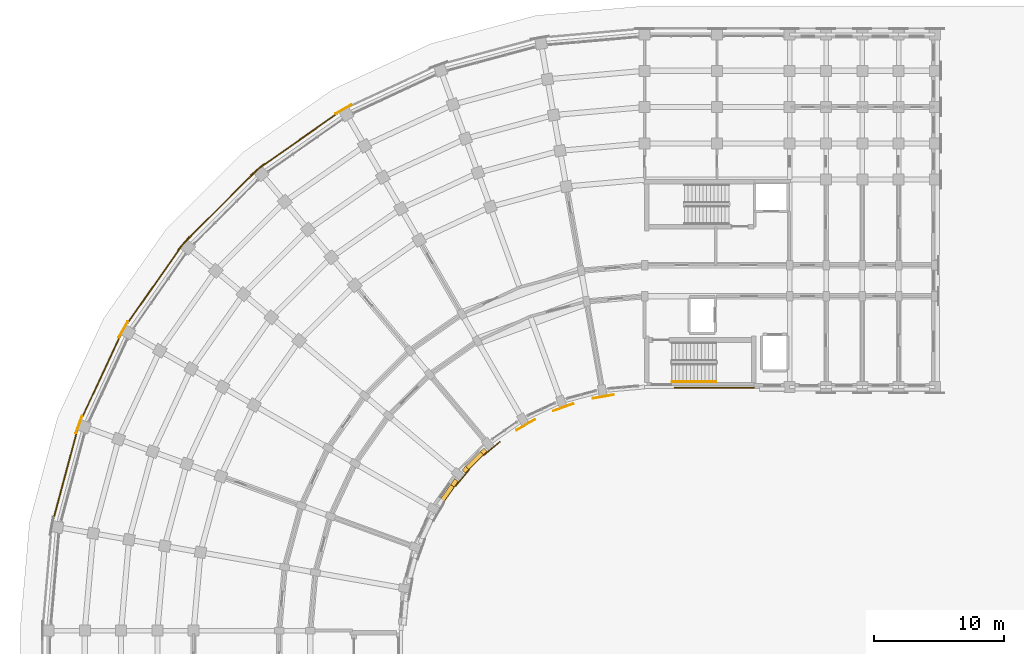
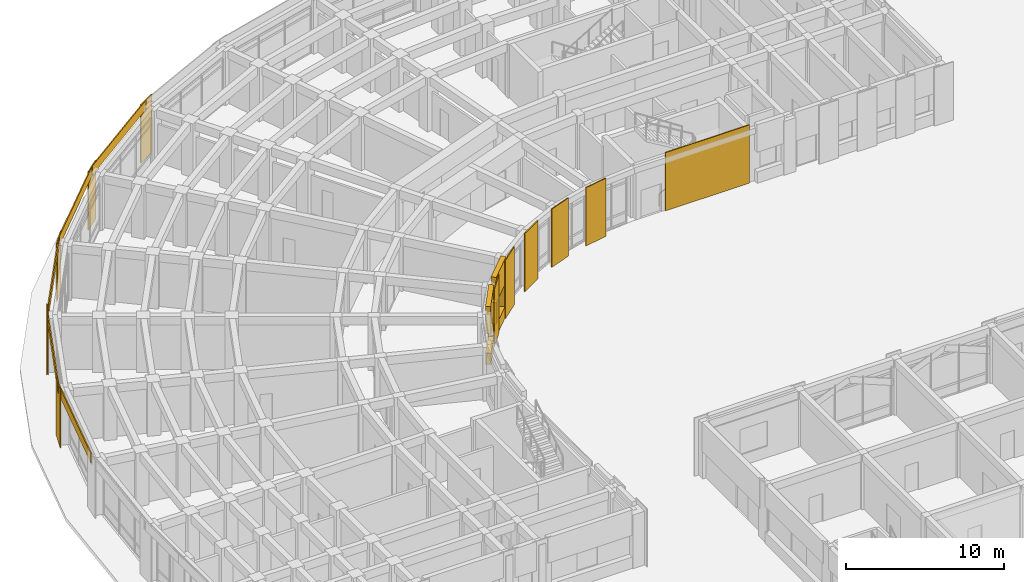
# One storey, part 126 of 135: 23 coverings, 1 railing.
"""IFC4 building model written with IfcOpenShell, lengths in metres."""

from ifc_helpers import new_model, si_unit, direction, frame, origin, origin_2d, place, context, subcontext, project, spatial, polyline, circle, outline, extrude, material, layer, layer_set, type_object, element, save


model = new_model("IFC4")

# Units and contexts
model_context = context("Model", 3, precision=1e-05, world=origin(), true_north=direction((0.0, 1.0)))
body_context = subcontext(model_context, "Body", "Model", "MODEL_VIEW")
ifc_project = project(units=[si_unit("LENGTHUNIT", "METRE"), si_unit("AREAUNIT", "SQUARE_METRE"), si_unit("VOLUMEUNIT", "CUBIC_METRE"), si_unit("PLANEANGLEUNIT", "RADIAN"), si_unit("MASSUNIT", "GRAM", prefix="KILO")], contexts=[model_context])

# Site, building, storey
site_placement = place(None, origin())
site = spatial("IfcSite", under=ifc_project, at=site_placement, CompositionType="ELEMENT")
building_placement = place(site_placement, origin())
building = spatial("IfcBuilding", under=site, at=building_placement, Name="Kiranvali Square Residences", CompositionType="ELEMENT")
storey_placement = place(building_placement, origin())
storey = spatial("IfcBuildingStorey", under=building, at=storey_placement, Name="L00", CompositionType="ELEMENT", Elevation=0.0)

# Coverings
ifc_material_1 = material(Name="Honed Porbandar limestone ashlar facade cladding", Category="masonry")
ifc_layer_1 = layer(ifc_material_1, 0.3798828125)
ifc_layer_set_1 = layer_set([ifc_layer_1], Name="Honed Porbandar limestone ashlar facade cladding")
covering_type_1 = type_object("IfcCoveringType", Name="COV-CLAD-JAMB", PredefinedType="CLADDING", material=ifc_layer_set_1)
covering_1_placement = place(storey_placement, frame((0.0, 0.0, 0.8798828125)))
element("IfcCovering", 1, at=covering_1_placement, inside=storey, type_object=covering_type_1, Name="L00 deep limestone window jamb reveal A-L00-GDN-04.L", PredefinedType="CLADDING", context=body_context, shape_type="SweptSolid", body=[
    extrude(outline(polyline([(35.804931640625, 101.89013671875), (35.52294921875, 101.6083984375), (35.76318359375, 101.368408203125), (36.044921875, 101.650146484375), (35.804931640625, 101.89013671875)])), origin(), (0.0, 0.0, 1.0), 1.650146484375),
])
covering_2_placement = place(storey_placement, frame((0.0, 0.0, 0.8798828125)))
element("IfcCovering", 2, at=covering_2_placement, inside=storey, type_object=covering_type_1, Name="L00 deep limestone window jamb reveal A-L00-GDN-04.R", PredefinedType="CLADDING", context=body_context, shape_type="SweptSolid", body=[
    extrude(outline(polyline([(34.3916015625, 100.47705078125), (34.10986328125, 100.195068359375), (34.349853515625, 99.955078125), (34.631591796875, 100.23681640625), (34.3916015625, 100.47705078125)])), origin(), (0.0, 0.0, 1.0), 1.650146484375),
])
covering_3_placement = place(storey_placement, frame((0.0, 0.0, 0.8798828125)))
element("IfcCovering", 3, at=covering_3_placement, inside=storey, type_object=covering_type_1, Name="L00 deep limestone window jamb reveal A-L00-GDN-05.L", PredefinedType="CLADDING", context=body_context, shape_type="SweptSolid", body=[
    extrude(outline(polyline([(33.54638671875, 99.523681640625), (33.231689453125, 99.074462890625), (33.509765625, 98.879638671875), (33.824462890625, 99.328857421875), (33.54638671875, 99.523681640625)])), origin(), (0.0, 0.0, 1.0), 1.5),
])
ifc_layer_2 = layer(ifc_material_1, 0.06494140625)
ifc_layer_set_2 = layer_set([ifc_layer_2], Name="Honed Porbandar limestone ashlar facade cladding")
covering_type_2 = type_object("IfcCoveringType", Name="COV-CLAD-PIER", PredefinedType="CLADDING", material=ifc_layer_set_2)
covering_4_placement = place(storey_placement, frame((0.0, 0.0, 0.0048828125)))
element("IfcCovering", 4, at=covering_4_placement, inside=storey, type_object=covering_type_2, Name="Block A L00 garden stair limestone ashlar cladding", PredefinedType="CLADDING", context=body_context, shape_type="SweptSolid", body=[
    extrude(outline(polyline([(50.5, 106.52001953125), (56.64990234375, 106.52001953125), (56.64990234375, 106.597900390625), (50.5, 106.597900390625), (50.5, 106.52001953125)])), origin(), (0.0, 0.0, 1.0), 4.490234375),
])
ifc_layer_3 = layer(ifc_material_1, 0.050048828125)
ifc_layer_set_3 = layer_set([ifc_layer_3], Name="Honed Porbandar limestone ashlar facade cladding")
covering_type_3 = type_object("IfcCoveringType", Name="COV-CLAD-PIER-IN", PredefinedType="CLADDING", material=ifc_layer_set_3)
covering_5_placement = place(storey_placement, frame((0.0, 0.0, 0.0048828125)))
element("IfcCovering", 5, at=covering_5_placement, inside=storey, type_object=covering_type_3, Name="L00 Classical garden courtyard pilaster CLAD-PRIN-A-L00-A01", PredefinedType="CLADDING", context=body_context, shape_type="SweptSolid", body=[
    extrude(outline(polyline([(44.20849609375, 105.685546875), (45.83349609375, 105.97216796875), (45.82177734375, 106.03857421875), (44.19677734375, 105.752197265625), (44.20849609375, 105.685546875)])), origin(), (0.0, 0.0, 1.0), 4.490234375),
])
covering_6_placement = place(storey_placement, frame((0.0, 0.0, 0.0048828125)))
element("IfcCovering", 6, at=covering_6_placement, inside=storey, type_object=covering_type_3, Name="L00 Classical garden courtyard pilaster CLAD-PRIN-A-L00-A02", PredefinedType="CLADDING", context=body_context, shape_type="SweptSolid", body=[
    extrude(outline(polyline([(41.163330078125, 104.720703125), (42.7138671875, 105.28515625), (42.69091796875, 105.3486328125), (41.140380859375, 104.7841796875), (41.163330078125, 104.720703125)])), origin(), (0.0, 0.0, 1.0), 4.490234375),
])
covering_7_placement = place(storey_placement, frame((0.0, 0.0, 0.0048828125)))
element("IfcCovering", 7, at=covering_7_placement, inside=storey, type_object=covering_type_3, Name="L00 Classical garden courtyard pilaster CLAD-PRIN-A-L00-A03", PredefinedType="CLADDING", context=body_context, shape_type="SweptSolid", body=[
    extrude(outline(polyline([(38.33203125, 103.241943359375), (39.760986328125, 104.06689453125), (39.727294921875, 104.125244140625), (38.29833984375, 103.30029296875), (38.33203125, 103.241943359375)])), origin(), (0.0, 0.0, 1.0), 4.490234375),
])
covering_8_placement = place(storey_placement, frame((0.0, 0.0, 0.0048828125)))
element("IfcCovering", 8, at=covering_8_placement, inside=storey, type_object=covering_type_3, Name="L00 Classical garden courtyard pilaster CLAD-PRIN-A-L00-A04", PredefinedType="CLADDING", context=body_context, shape_type="SweptSolid", body=[
    extrude(outline(polyline([(35.800537109375, 101.293701171875), (37.064453125, 102.354248046875), (37.02099609375, 102.406005859375), (35.757080078125, 101.345458984375), (35.800537109375, 101.293701171875)])), origin(), (0.0, 0.0, 1.0), 4.490234375),
])
covering_9_placement = place(storey_placement, frame((0.0, 0.0, 0.0048828125)))
element("IfcCovering", 9, at=covering_9_placement, inside=storey, type_object=covering_type_3, Name="L00 Classical garden courtyard pilaster CLAD-PRIN-A-L00-A05", PredefinedType="CLADDING", context=body_context, shape_type="SweptSolid", body=[
    extrude(outline(polyline([(33.645751953125, 98.935546875), (34.706298828125, 100.199462890625), (34.654541015625, 100.242919921875), (33.593994140625, 98.97900390625), (33.645751953125, 98.935546875)])), origin(), (0.0, 0.0, 1.0), 4.490234375),
])
ifc_material_2 = material(Name="Alternating Deccan basalt and Porbandar limestone rusticated plinth ashlar", Category="masonry")
ifc_layer_4 = layer(ifc_material_2, 0.0849609375)
ifc_layer_set_4 = layer_set([ifc_layer_4], Name="Alternating Deccan basalt and Porbandar limestone rusticated plinth ashlar")
covering_type_4 = type_object("IfcCoveringType", Name="COV-CLAD-PLINTH", PredefinedType="CLADDING", material=ifc_layer_set_4)
covering_10_placement = place(storey_placement, frame((0.0, 0.0, 0.0048828125)))
element("IfcCovering", 10, at=covering_10_placement, inside=storey, type_object=covering_type_4, Name="L00 rusticated Ottoman arcade pier CLAD-PR-A-L00-A03", PredefinedType="CLADDING", context=body_context, shape_type="SweptSolid", body=[
    extrude(outline(polyline([(25.56396484375, 128.41650390625), (24.343017578125, 127.711669921875), (24.376708984375, 127.653076171875), (25.597900390625, 128.358154296875), (25.56396484375, 128.41650390625)])), origin(), (0.0, 0.0, 1.0), 4.490234375),
])
covering_11_placement = place(storey_placement, frame((0.0, 0.0, 0.0048828125)))
element("IfcCovering", 11, at=covering_11_placement, inside=storey, type_object=covering_type_4, Name="L00 rusticated Ottoman arcade pier CLAD-PR-A-L00-A04", PredefinedType="CLADDING", context=body_context, shape_type="SweptSolid", body=[
    extrude(outline(polyline([(18.85498046875, 123.868896484375), (17.77490234375, 122.962646484375), (17.818115234375, 122.910888671875), (18.8984375, 123.817138671875), (18.85498046875, 123.868896484375)])), origin(), (0.0, 0.0, 1.0), 4.490234375),
])
covering_12_placement = place(storey_placement, frame((0.0, 0.0, 0.0048828125)))
element("IfcCovering", 12, at=covering_12_placement, inside=storey, type_object=covering_type_4, Name="L00 rusticated Ottoman arcade pier CLAD-PR-A-L00-A05", PredefinedType="CLADDING", context=body_context, shape_type="SweptSolid", body=[
    extrude(outline(polyline([(13.037353515625, 118.22509765625), (12.131103515625, 117.14501953125), (12.182861328125, 117.1015625), (13.089111328125, 118.181884765625), (13.037353515625, 118.22509765625)])), origin(), (0.0, 0.0, 1.0), 4.490234375),
])
covering_13_placement = place(storey_placement, frame((0.0, 0.0, 0.0048828125)))
element("IfcCovering", 13, at=covering_13_placement, inside=storey, type_object=covering_type_4, Name="L00 rusticated Ottoman arcade pier CLAD-PR-A-L00-A06", PredefinedType="CLADDING", context=body_context, shape_type="SweptSolid", body=[
    extrude(outline(polyline([(8.288330078125, 111.656982421875), (7.58349609375, 110.43603515625), (7.641845703125, 110.402099609375), (8.346923828125, 111.623291015625), (8.288330078125, 111.656982421875)])), origin(), (0.0, 0.0, 1.0), 4.490234375),
])
covering_14_placement = place(storey_placement, frame((0.0, 0.0, 0.0048828125)))
element("IfcCovering", 14, at=covering_14_placement, inside=storey, type_object=covering_type_4, Name="L00 rusticated Ottoman arcade pier CLAD-PR-A-L00-A07", PredefinedType="CLADDING", context=body_context, shape_type="SweptSolid", body=[
    extrude(outline(polyline([(4.751953125, 104.364013671875), (4.269775390625, 103.0390625), (4.333251953125, 103.015869140625), (4.8154296875, 104.3408203125), (4.751953125, 104.364013671875)])), origin(), (0.0, 0.0, 1.0), 4.490234375),
])
ifc_layer_5 = layer(ifc_material_1, 0.360107421875)
ifc_layer_set_5 = layer_set([ifc_layer_5], Name="Honed Porbandar limestone ashlar facade cladding")
covering_type_5 = type_object("IfcCoveringType", Name="COV-CLAD-WALL", PredefinedType="CLADDING", material=ifc_layer_set_5)
covering_15_placement = place(storey_placement, frame((0.0, 0.0, 3.780029296875)))
element("IfcCovering", 15, at=covering_15_placement, inside=storey, type_object=covering_type_5, Name="Block A L00 Classical Ottoman arcade entablature 4", PredefinedType="CLADDING", context=body_context, shape_type="SweptSolid", body=[
    extrude(outline(polyline([(24.910400390625, 128.05078125), (18.342041015625, 123.45166015625), (18.386962890625, 123.387939453125), (24.955078125, 127.987060546875), (24.910400390625, 128.05078125)])), origin(), (0.0, 0.0, 1.0), 0.715087890625),
])
covering_16_placement = place(storey_placement, frame((0.0, 0.0, 3.780029296875)))
element("IfcCovering", 16, at=covering_16_placement, inside=storey, type_object=covering_type_5, Name="Block A L00 Classical Ottoman arcade entablature 5", PredefinedType="CLADDING", context=body_context, shape_type="SweptSolid", body=[
    extrude(outline(polyline([(18.274658203125, 123.39501953125), (12.60498046875, 117.725341796875), (12.659912109375, 117.670166015625), (18.329833984375, 123.340087890625), (18.274658203125, 123.39501953125)])), origin(), (0.0, 0.0, 1.0), 0.715087890625),
])
covering_17_placement = place(storey_placement, frame((0.0, 0.0, 3.780029296875)))
element("IfcCovering", 17, at=covering_17_placement, inside=storey, type_object=covering_type_5, Name="Block A L00 Classical Ottoman arcade entablature 6", PredefinedType="CLADDING", context=body_context, shape_type="SweptSolid", body=[
    extrude(outline(polyline([(12.54833984375, 117.657958984375), (7.94921875, 111.089599609375), (8.012939453125, 111.044921875), (12.612060546875, 117.613037109375), (12.54833984375, 117.657958984375)])), origin(), (0.0, 0.0, 1.0), 0.715087890625),
])
covering_18_placement = place(storey_placement, frame((0.0, 0.0, 3.780029296875)))
element("IfcCovering", 18, at=covering_18_placement, inside=storey, type_object=covering_type_5, Name="Block A L00 Classical Ottoman arcade entablature 7", PredefinedType="CLADDING", context=body_context, shape_type="SweptSolid", body=[
    extrude(outline(polyline([(7.905029296875, 111.013427734375), (4.516357421875, 103.746337890625), (4.587158203125, 103.71337890625), (7.975830078125, 110.98046875), (7.905029296875, 111.013427734375)])), origin(), (0.0, 0.0, 1.0), 0.715087890625),
])
covering_19_placement = place(storey_placement, frame((0.0, 0.0, 3.780029296875)))
element("IfcCovering", 19, at=covering_19_placement, inside=storey, type_object=covering_type_5, Name="Block A L00 Classical Ottoman arcade entablature 8", PredefinedType="CLADDING", context=body_context, shape_type="SweptSolid", body=[
    extrude(outline(polyline([(4.486328125, 103.66357421875), (2.4111328125, 95.91845703125), (2.486328125, 95.8984375), (4.561767578125, 103.6435546875), (4.486328125, 103.66357421875)])), origin(), (0.0, 0.0, 1.0), 0.715087890625),
])
covering_20_placement = place(storey_placement, frame((0.0, 0.0, 2.530029296875)))
element("IfcCovering", 20, at=covering_20_placement, inside=storey, type_object=covering_type_5, Name="L00 light limestone spandrel lintel A-L00-GDN-04", PredefinedType="CLADDING", context=body_context, shape_type="SweptSolid", body=[
    extrude(outline(polyline([(35.804931640625, 101.89013671875), (34.10986328125, 100.195068359375), (34.349853515625, 99.955078125), (36.044921875, 101.650146484375), (35.804931640625, 101.89013671875)])), origin(), (0.0, 0.0, 1.0), 1.965087890625),
])
covering_21_placement = place(storey_placement, frame((0.0, 0.0, 2.3798828125)))
element("IfcCovering", 21, at=covering_21_placement, inside=storey, type_object=covering_type_5, Name="L00 light limestone spandrel lintel A-L00-GDN-05", PredefinedType="CLADDING", context=body_context, shape_type="SweptSolid", body=[
    extrude(outline(polyline([(33.54638671875, 99.523681640625), (32.171630859375, 97.56005859375), (32.44970703125, 97.365478515625), (33.824462890625, 99.328857421875), (33.54638671875, 99.523681640625)])), origin(), (0.0, 0.0, 1.0), 2.115234375),
])
ifc_layer_6 = layer(ifc_material_1, 0.2900390625)
ifc_layer_set_6 = layer_set([ifc_layer_6], Name="Honed Porbandar limestone ashlar facade cladding")
covering_type_6 = type_object("IfcCoveringType", Name="COV-CLAD-WALL-IN", PredefinedType="CLADDING", material=ifc_layer_set_6)
covering_22_placement = place(storey_placement, frame((0.0, 0.0, 0.0048828125)))
element("IfcCovering", 22, at=covering_22_placement, inside=storey, type_object=covering_type_6, Name="L00 limestone window sill apron A-L00-GDN-04", PredefinedType="CLADDING", context=body_context, shape_type="SweptSolid", body=[
    extrude(outline(polyline([(35.804931640625, 101.89013671875), (34.10986328125, 100.195068359375), (34.37109375, 99.933837890625), (36.066162109375, 101.62890625), (35.804931640625, 101.89013671875)])), origin(), (0.0, 0.0, 1.0), 0.875),
])
covering_23_placement = place(storey_placement, frame((0.0, 0.0, 0.0048828125)))
element("IfcCovering", 23, at=covering_23_placement, inside=storey, type_object=covering_type_6, Name="L00 limestone window sill apron A-L00-GDN-05", PredefinedType="CLADDING", context=body_context, shape_type="SweptSolid", body=[
    extrude(outline(polyline([(33.54638671875, 99.523681640625), (32.171630859375, 97.56005859375), (32.47412109375, 97.34814453125), (33.84912109375, 99.311767578125), (33.54638671875, 99.523681640625)])), origin(), (0.0, 0.0, 1.0), 0.875),
])

# Railing
ifc_material_3 = material(Name="Brushed stainless steel tubular handrail", Category="steel")
railing_type = type_object("IfcRailingType", Name="RL-HANDRAIL-900", PredefinedType="HANDRAIL", material=ifc_material_3)
railing_placement = place(storey_placement, frame((50.300048828125, 107.0, 0.173095703125)))
element("IfcRailing", 24, at=railing_placement, inside=storey, type_object=railing_type, Name="L00 ST-A2 stair handrail 1", PredefinedType="HANDRAIL", context=body_context, shape_type="SweptSolid", body=[
    extrude(circle(Radius=0.02392578125, at=origin_2d()), frame((0.0, 0.0, 0.8759765625), z_axis=(0.835411317272, 0.0, 0.549625264133), x_axis=(0.0, 1.0, 0.0)), (0.0, 0.0, 1.0), 4.09375),
    extrude(circle(Radius=0.02099609375, at=origin_2d()), origin(), (0.0, 0.0, 1.0), 0.851806640625),
    extrude(circle(Radius=0.02099609375, at=origin_2d()), frame((0.85498046875, 0.0, 0.5625)), (0.0, 0.0, 1.0), 0.851806640625),
    extrude(circle(Radius=0.02099609375, at=origin_2d()), frame((1.7099609375, 0.0, 1.125)), (0.0, 0.0, 1.0), 0.851806640625),
    extrude(circle(Radius=0.02099609375, at=origin_2d()), frame((2.56494140625, 0.0, 1.6875)), (0.0, 0.0, 1.0), 0.851806640625),
    extrude(circle(Radius=0.02099609375, at=origin_2d()), frame((3.419921875, 0.0, 2.25)), (0.0, 0.0, 1.0), 0.851806640625),
])

save(model, "model.ifc")
